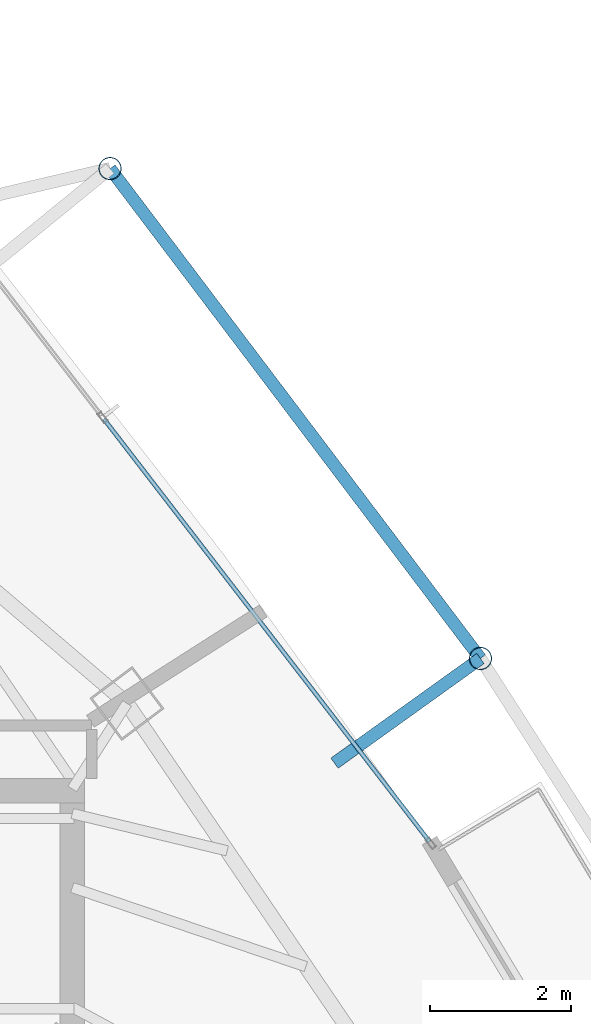
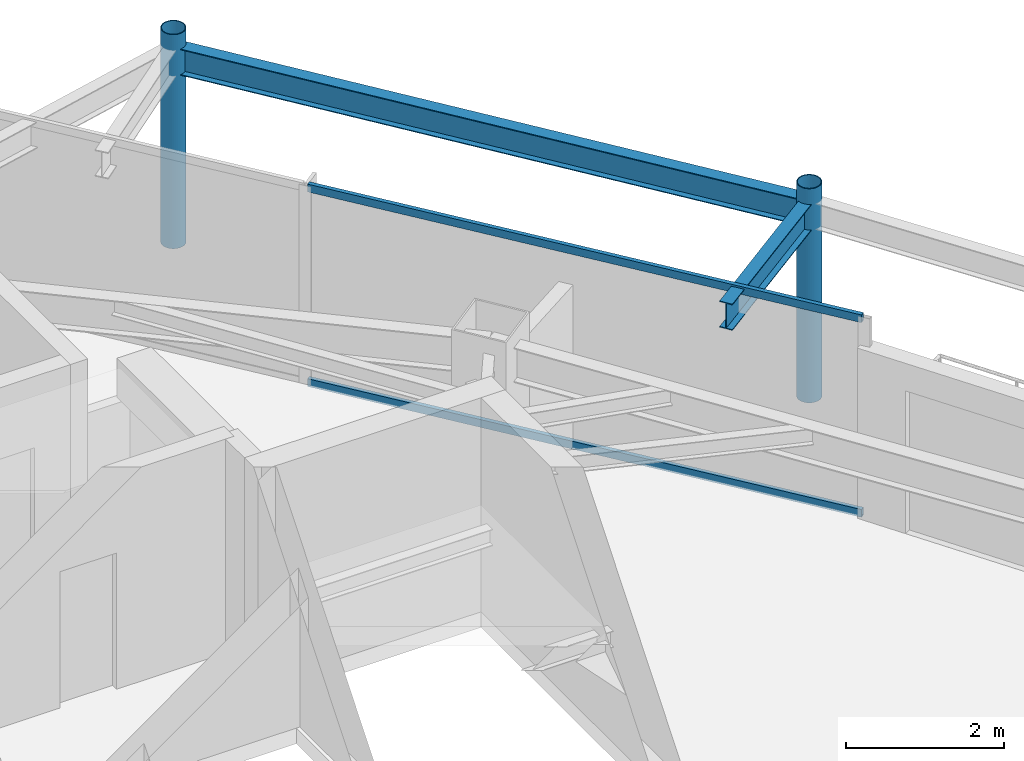
# One storey, part 26 of 33: 4 members, 2 beams, 1 element without a shape of its own.
"""IFC4 building model written with IfcOpenShell, lengths in metres."""

from ifc_helpers import new_model, si_unit, direction, frame, origin, origin_2d, place, context, subcontext, project, spatial, hollow_rectangle, hollow_circle, i_section, extrude, material, layer, layer_set, material_profile, profile_set, type_object, element, aggregate, save


model = new_model("IFC4")

# Units and contexts
model_context = context("Model", 3, precision=1e-05, world=origin(), true_north=direction((0.0, 1.0)))
body_context = subcontext(model_context, "Body", "Model", "MODEL_VIEW")
ifc_project = project(units=[si_unit("LENGTHUNIT", "METRE"), si_unit("AREAUNIT", "SQUARE_METRE"), si_unit("VOLUMEUNIT", "CUBIC_METRE"), si_unit("PLANEANGLEUNIT", "RADIAN"), si_unit("MASSUNIT", "GRAM", prefix="KILO")], contexts=[model_context])

# Site, building, storey
site_placement = place(None, origin())
site = spatial("IfcSite", under=ifc_project, at=site_placement, CompositionType="ELEMENT")
building_placement = place(site_placement, origin())
building = spatial("IfcBuilding", under=site, at=building_placement, Name="Orvanel Arch Residences", CompositionType="ELEMENT")
storey_placement = place(building_placement, frame((0.0, 0.0, 206.300048828125)))
storey = spatial("IfcBuildingStorey", under=building, at=storey_placement, Name="L58", CompositionType="ELEMENT", Elevation=206.300048828125)

# Beams
ifc_material_1 = material(Name="Structural steel AS/NZS 3679.1 Grade 300 (300 MPa)", Category="steel")
ifc_material_profile_1 = material_profile(ifc_material_1, i_section(OverallWidth=0.177978515625, OverallDepth=0.406005859375, WebThickness=0.0078125, FlangeThickness=0.0126953125, at=origin_2d()), Name="410UB59.7")
ifc_profile_set_1 = profile_set([ifc_material_profile_1], Name="Structural steel AS/NZS 3679.1 Grade 300 (300 MPa)")
beam_type = type_object("IfcBeamType", Name="OB-410UB-EXT", PredefinedType="SPANDREL", material=ifc_profile_set_1)
beam_1_placement = place(storey_placement, frame((43.297119140625, 34.264892578125, 2.85693359375), z_axis=(0.812573742569, 0.582858398659, 0.0), x_axis=(-0.582858398659, 0.812573742569, 0.0)))
element("IfcBeam", 1, at=beam_1_placement, inside=storey, type_object=beam_type, Name="L58 Outer Frame Radial Tie Beam 11", PredefinedType="SPANDREL", context=body_context, shape_type="SweptSolid", body=[
    extrude(i_section(OverallWidth=0.177978515625, OverallDepth=0.406005859375, WebThickness=0.0078125, FlangeThickness=0.0126953125, at=origin_2d()), origin(), (0.0, 0.0, 1.0), 2.549560546875),
])
beam_2_placement = place(storey_placement, frame((45.368896484375, 35.7509765625, 2.85693359375), z_axis=(-0.60307871819, 0.797681678156, 0.0), x_axis=(-0.797681678156, -0.60307871819, 0.0)))
element("IfcBeam", 2, at=beam_2_placement, inside=storey, type_object=beam_type, Name="L58 Outer Perimeter Floor Ring Beam 11", PredefinedType="SPANDREL", context=body_context, shape_type="SweptSolid", body=[
    extrude(i_section(OverallWidth=0.177978515625, OverallDepth=0.406005859375, WebThickness=0.0078125, FlangeThickness=0.0126953125, at=origin_2d()), origin(), (0.0, 0.0, 1.0), 8.716552734375),
])

# Members
ifc_material_2 = material(Name="Structural steel AS/NZS 1163 C350L0 (Grade 350)", Category="steel")
ifc_material_profile_2 = material_profile(ifc_material_2, hollow_circle(Radius=0.162109375, WallThickness=0.0126953125, at=origin_2d()), Name="CHS324x12.7")
ifc_profile_set_2 = profile_set([ifc_material_profile_2], Name="Structural steel AS/NZS 1163 C350L0 (Grade 350)")
member_type_1 = type_object("IfcMemberType", Name="ST-324CHS-EXT", PredefinedType="STRUT", material=ifc_profile_set_2)
for number, where, z_axis, x_axis, name in (
    (3, (45.368896484375, 35.7509765625, 0.0), (0.0, 0.0, 1.0), (1.0, 0.0, 0.0), "L58 Outer Perimeter Frame Post 11"),
    (4, (40.112060546875, 42.7041015625, 0.0), (0.0, 0.0, 1.0), (1.0, 0.0, 0.0), "L58 Outer Perimeter Frame Post 12"),
):
    element("IfcMember", number, at=place(storey_placement, frame(where, z_axis=z_axis, x_axis=x_axis)), inside=storey, type_object=member_type_1, Name=name, PredefinedType="STRUT", context=body_context, shape_type="SweptSolid", body=[
        extrude(hollow_circle(Radius=0.162109375, WallThickness=0.0126953125, at=origin_2d()), origin(), (0.0, 0.0, 1.0), 3.300048828125),
    ])

# Curtain wall, members
ifc_material_3 = material(Name="Bronze-anodised aluminium AA6063-T6", Category="aluminium")
ifc_layer = layer(ifc_material_3, 0.175048828125)
ifc_layer_set = layer_set([ifc_layer], Name="Bronze-anodised aluminium AA6063-T6")
curtain_wall_type = type_object("IfcCurtainWallType", Name="CW4-HI-SYS", PredefinedType="NOTDEFINED", material=ifc_layer_set)
curtain_wall_placement = place(storey_placement, origin())
curtain_wall = element("IfcCurtainWall", 5, at=curtain_wall_placement, inside=storey, type_object=curtain_wall_type, Name="L58 CW4-HI-SYS Unitised Curtain Wall", PredefinedType="NOTDEFINED")
ifc_material_profile_3 = material_profile(ifc_material_3, hollow_rectangle(XDim=0.06005859375, YDim=0.1201171875, WallThickness=0.00341796875, at=origin_2d()), Name="ALU120x60x3.5")
ifc_profile_set_3 = profile_set([ifc_material_profile_3], Name="Bronze-anodised aluminium AA6063-T6")
member_type_2 = type_object("IfcMemberType", Name="TRN-120x60", PredefinedType="USERDEFINED", material=ifc_profile_set_3)
member_1_placement = place(storey_placement, frame((44.645263671875, 33.152587890625, 0.030029296875), z_axis=(-0.610326524777, 0.792149943605, 0.0), x_axis=(-0.792149943605, -0.610326524777, 0.0)))
member_1 = element("IfcMember", 6, at=member_1_placement, type_object=member_type_2, Name="CW-S4 transom 1.1", ObjectType="TRANSOM", PredefinedType="USERDEFINED", context=body_context, shape_type="SweptSolid", body=[
    extrude(hollow_rectangle(XDim=0.06005859375, YDim=0.1201171875, WallThickness=0.00341796875, at=origin_2d()), origin(), (0.0, 0.0, 1.0), 7.56640625),
])
member_2_placement = place(storey_placement, frame((44.645263671875, 33.152587890625, 3.030029296875), z_axis=(-0.610326524777, 0.792149943605, 0.0), x_axis=(-0.792149943605, -0.610326524777, 0.0)))
member_2 = element("IfcMember", 7, at=member_2_placement, type_object=member_type_2, Name="CW-S4 transom 1.2", ObjectType="TRANSOM", PredefinedType="USERDEFINED", context=body_context, shape_type="SweptSolid", body=[
    extrude(hollow_rectangle(XDim=0.06005859375, YDim=0.1201171875, WallThickness=0.00341796875, at=origin_2d()), origin(), (0.0, 0.0, 1.0), 7.56640625),
])
aggregate(curtain_wall, [member_1, member_2])

save(model, "model.ifc")
